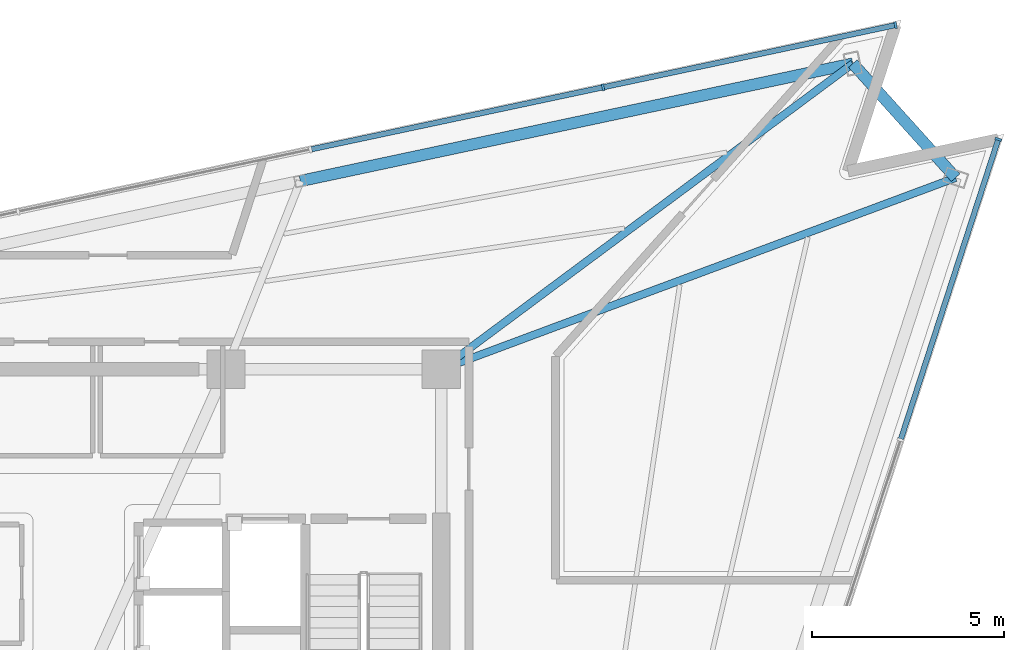
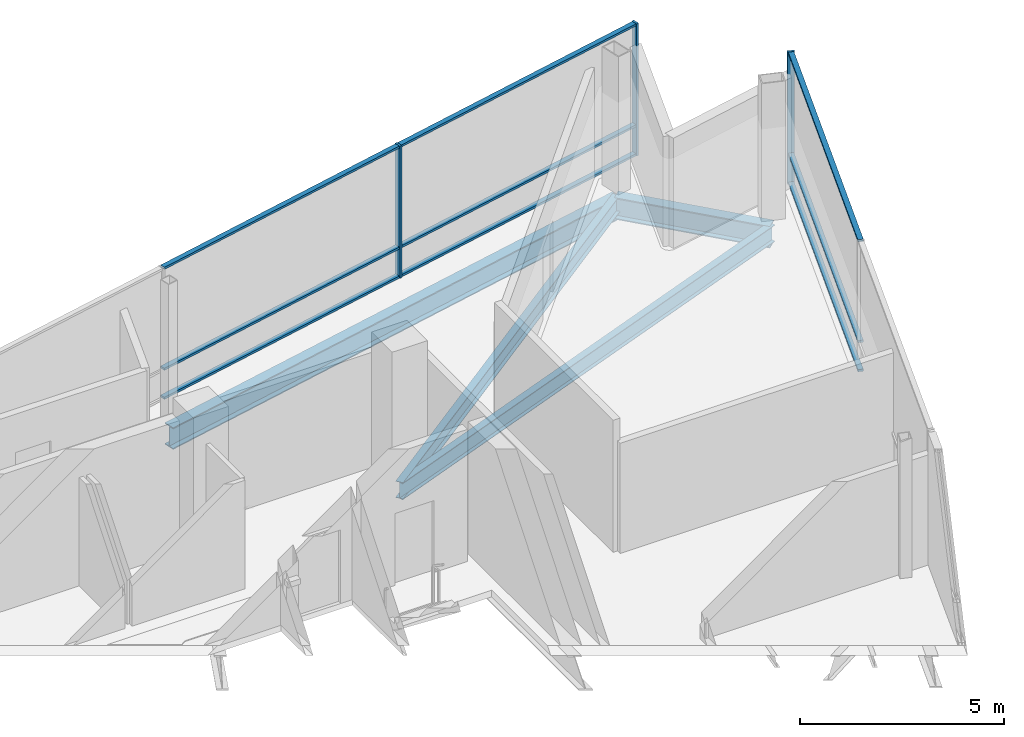
# One storey, part 9 of 16: 12 members, 4 beams, 2 elements without a shape of their own.
"""IFC4 building model written with IfcOpenShell, lengths in metres."""

import ifcopenshell
import ifcopenshell.guid

model = None  # the IFC model being written
_history = None  # IfcOwnerHistory: only IFC2X3 demands one
_inside = {}  # id of a spatial element -> (the spatial element, [elements in it])
_under = {}  # id of a project, library or spatial element -> (it, [spatial elements below it])
_declared = {}  # id of a project -> (the project, [libraries it declares])
_typed = {}  # id of a type object -> (the type object, [elements of that type])
_made_of = {}  # id of a material, layer set ... -> (it, [elements and type objects made of it])


def new_model(schema):
    """Start an empty IFC model of exactly this schema.

    Asked for "IFC4X3", IfcOpenShell would pick the latest addendum, in which some entities
    have other attributes; the version numbers below select the first issue.
    IFC2X3 requires an IfcOwnerHistory on every rooted entity: one is made here for all.
    """
    global model, _history
    if schema == "IFC4X3":
        model = ifcopenshell.file(schema_version=(4, 3, 0, 0))
    else:
        model = ifcopenshell.file(schema=schema)
    _inside.clear()
    _under.clear()
    _declared.clear()
    _typed.clear()
    _made_of.clear()
    _history = None
    if model.schema == "IFC2X3":
        org = make("IfcOrganization", Name="unknown")
        user = make(
            "IfcPersonAndOrganization",
            ThePerson=make("IfcPerson", FamilyName="unknown"),
            TheOrganization=org,
        )
        app = make(
            "IfcApplication",
            ApplicationDeveloper=org,
            Version="unknown",
            ApplicationFullName="unknown",
            ApplicationIdentifier="unknown",
        )
        _history = make(
            "IfcOwnerHistory",
            OwningUser=user,
            OwningApplication=app,
            ChangeAction="ADDED",
            CreationDate=0,
        )
    return model


def make(cls, **values):
    """One entity of the class cls with the attributes given. An attribute that is None is left unset."""
    return model.create_entity(
        cls, **{name: value for name, value in values.items() if value is not None}
    )


def rooted(cls, **values):
    """An entity with a GlobalId (a new one), such as an element, a storey or a relation."""
    return make(cls, GlobalId=ifcopenshell.guid.new(), OwnerHistory=_history, **values)


def si_unit(unit_type, name, prefix=None):
    """IfcSIUnit, for example si_unit("LENGTHUNIT", "METRE", prefix="MILLI")."""
    return make("IfcSIUnit", UnitType=unit_type, Prefix=prefix, Name=name)


def assignment(units):
    """IfcUnitAssignment: the units of a project."""
    return None if units is None else make("IfcUnitAssignment", Units=units)


def point(xyz):
    """IfcCartesianPoint."""
    return None if xyz is None else make("IfcCartesianPoint", Coordinates=xyz)


def direction(xyz):
    """IfcDirection."""
    return None if xyz is None else make("IfcDirection", DirectionRatios=xyz)


def frame(location, z_axis=None, x_axis=None):
    """IfcAxis2Placement3D, a coordinate frame: its origin and axes. An axis left out is left unset."""
    return make(
        "IfcAxis2Placement3D",
        Location=point(location),
        Axis=direction(z_axis),
        RefDirection=direction(x_axis),
    )


def frame_2d(location, x_axis=None):
    """IfcAxis2Placement2D, a coordinate frame in the plane: its origin and x axis."""
    return make(
        "IfcAxis2Placement2D", Location=point(location), RefDirection=direction(x_axis)
    )


def origin():
    """The frame at (0, 0, 0) with its axes left unset."""
    return frame((0.0, 0.0, 0.0))


def origin_2d():
    """The frame at (0, 0) in the plane with its x axis left unset."""
    return frame_2d((0.0, 0.0))


def place(relative_to, where):
    """IfcLocalPlacement: puts the frame where relative to a parent placement (None: the world)."""
    return make(
        "IfcLocalPlacement", PlacementRelTo=relative_to, RelativePlacement=where
    )


def context(
    kind, dimensions, precision=None, world=None, true_north=None, identifier=None
):
    """IfcGeometricRepresentationContext, for example the 3D "Model" context."""
    return make(
        "IfcGeometricRepresentationContext",
        ContextIdentifier=identifier,
        ContextType=kind,
        CoordinateSpaceDimension=dimensions,
        Precision=precision,
        WorldCoordinateSystem=world,
        TrueNorth=true_north,
    )


def subcontext(parent, identifier, kind, view, scale=None):
    """IfcGeometricRepresentationSubContext, for example "Body" below "Model"."""
    return make(
        "IfcGeometricRepresentationSubContext",
        ContextIdentifier=identifier,
        ContextType=kind,
        ParentContext=parent,
        TargetScale=scale,
        TargetView=view,
    )


def project(units=None, contexts=None):
    """IfcProject with its units and contexts."""
    return rooted(
        "IfcProject",
        Name="project",
        RepresentationContexts=contexts,
        UnitsInContext=assignment(units),
    )


def spatial(cls, under=None, at=None, **own):
    """A site, building, storey or space (cls), placed at a placement, below another one or the project."""
    s = rooted(cls, ObjectPlacement=at, **own)
    if under is not None:
        _under.setdefault(under.id(), (under, []))[1].append(s)
    return s


def profile(cls, at=None, kind="AREA", **sizes):
    """A parametric profile (cls). Its sizes go by their IFC names, for example OverallWidth=200.0."""
    return make(cls, ProfileType=kind, Position=at, **sizes)


def rectangle(**sizes):
    """IfcRectangleProfileDef."""
    return profile("IfcRectangleProfileDef", **sizes)


def i_section(**sizes):
    """IfcIShapeProfileDef."""
    return profile("IfcIShapeProfileDef", **sizes)


def extrude(swept, where, along, depth):
    """IfcExtrudedAreaSolid: the profile swept, set in the frame where, extruded along a direction by depth."""
    return make(
        "IfcExtrudedAreaSolid",
        SweptArea=swept,
        Position=where,
        ExtrudedDirection=direction(along),
        Depth=depth,
    )


def shape(context_of_items, identifier, shape_type, items):
    """IfcShapeRepresentation: the items that make up one representation, for example the "Body"."""
    return make(
        "IfcShapeRepresentation",
        ContextOfItems=context_of_items,
        RepresentationIdentifier=identifier,
        RepresentationType=shape_type,
        Items=items,
    )


def material(Name=None, Category=None):
    """IfcMaterial."""
    return make("IfcMaterial", Name=Name, Category=Category)


def layer(
    of_material, thickness, ventilated=None, Name=None, Category=None, Priority=None
):
    """IfcMaterialLayer: one layer of a wall or slab, of a material (None: an air gap)."""
    return make(
        "IfcMaterialLayer",
        Material=of_material,
        LayerThickness=thickness,
        IsVentilated=ventilated,
        Name=Name,
        Category=Category,
        Priority=Priority,
    )


def layer_set(layers, Name=None):
    """IfcMaterialLayerSet."""
    return make("IfcMaterialLayerSet", MaterialLayers=layers, LayerSetName=Name)


def material_profile(
    of_material, cross_section, Name=None, Category=None, Priority=None
):
    """IfcMaterialProfile: a cross section and its material."""
    return make(
        "IfcMaterialProfile",
        Name=Name,
        Material=of_material,
        Profile=cross_section,
        Priority=Priority,
        Category=Category,
    )


def profile_set(profiles, Name=None, composite=None):
    """IfcMaterialProfileSet."""
    return make(
        "IfcMaterialProfileSet",
        Name=Name,
        MaterialProfiles=profiles,
        CompositeProfile=composite,
    )


def made_of(thing, what):
    """Note that an element or type object is made of a material, layer set ...; save() writes the relation."""
    if what is not None:
        _made_of.setdefault(what.id(), (what, []))[1].append(thing)
    return thing


def type_object(cls, material=None, **own):
    """A type object (cls), such as IfcWallType, which elements share."""
    return made_of(rooted(cls, **own), material)


def element(
    cls,
    number,
    at=None,
    inside=None,
    cuts=None,
    type_object=None,
    material=None,
    context=None,
    identifier="Body",
    shape_type=None,
    held_by="IfcProductDefinitionShape",
    body=None,
    shapes=None,
    **own,
):
    """One element of the class cls, such as IfcWall. Its Tag is "e" and its number.

    at: its placement. inside: the storey or other place that contains it. cuts: it is an
    opening in that element (IfcRelVoidsElement). A single representation is given by context,
    identifier, shape_type and body (its items); several are given by shapes. held_by: the class
    of the entity that holds the representations. save() writes the other relations.
    """
    e = rooted(cls, Tag="e%d" % number, ObjectPlacement=at, **own)
    if body is not None:
        shapes = [shape(context, identifier, shape_type, body)]
    if shapes is not None:
        e.Representation = make(held_by, Representations=shapes)
    if inside is not None:
        _inside.setdefault(inside.id(), (inside, []))[1].append(e)
    if cuts is not None:
        rooted(
            "IfcRelVoidsElement", RelatingBuildingElement=cuts, RelatedOpeningElement=e
        )
    if type_object is not None:
        _typed.setdefault(type_object.id(), (type_object, []))[1].append(e)
    return made_of(e, material)


def aggregate(whole, parts):
    """IfcRelAggregates: a whole, such as a stair, and the parts it consists of."""
    return rooted("IfcRelAggregates", RelatingObject=whole, RelatedObjects=parts)


def save(model, path):
    """Write the relations noted so far, then the file.

    IfcRelAggregates (storeys below a building ...), IfcRelContainedInSpatialStructure (elements
    in a storey), IfcRelDefinesByType, IfcRelAssociatesMaterial and IfcRelDeclares: one each for
    every whole, place, type object, material and project.
    """
    for whole, parts in _under.values():
        aggregate(whole, parts)
    for where, things in _inside.values():
        rooted(
            "IfcRelContainedInSpatialStructure",
            RelatedElements=things,
            RelatingStructure=where,
        )
    for kind, things in _typed.values():
        rooted("IfcRelDefinesByType", RelatedObjects=things, RelatingType=kind)
    for what, things in _made_of.values():
        rooted("IfcRelAssociatesMaterial", RelatedObjects=things, RelatingMaterial=what)
    for by, libraries in _declared.values():
        rooted("IfcRelDeclares", RelatingContext=by, RelatedDefinitions=libraries)
    model.write(path)


model = new_model("IFC4")

# Units and contexts
model_context = context("Model", 3, precision=1e-05, world=origin(), true_north=direction((0.0, 1.0)))
body_context = subcontext(model_context, "Body", "Model", "MODEL_VIEW")
ifc_project = project(units=[si_unit("LENGTHUNIT", "METRE"), si_unit("AREAUNIT", "SQUARE_METRE"), si_unit("VOLUMEUNIT", "CUBIC_METRE"), si_unit("PLANEANGLEUNIT", "RADIAN"), si_unit("MASSUNIT", "GRAM", prefix="KILO")], contexts=[model_context])

# Site, building, storey
site_placement = place(None, origin())
site = spatial("IfcSite", under=ifc_project, at=site_placement, CompositionType="ELEMENT")
building_placement = place(site_placement, origin())
building = spatial("IfcBuilding", under=site, at=building_placement, Name="Tharavind Bronze Gate", CompositionType="ELEMENT")
storey_placement = place(building_placement, frame((0.0, 0.0, 302.14990234375)))
storey = spatial("IfcBuildingStorey", under=building, at=storey_placement, Name="L78", CompositionType="ELEMENT", Elevation=302.14990234375)

# Curtain wall, member
ifc_material_1 = material(Name="Anodised Bronze Aluminium", Category="aluminium")
ifc_layer = layer(ifc_material_1, 0.219970703125)
ifc_layer_set = layer_set([ifc_layer], Name="Anodised Bronze Aluminium")
curtain_wall_type = type_object("IfcCurtainWallType", Name="UNITISED CURTAIN WALL CROWN", PredefinedType="USERDEFINED", material=ifc_layer_set)
curtain_wall_1_placement = place(storey_placement, origin())
curtain_wall_1 = element("IfcCurtainWall", 1, at=curtain_wall_1_placement, inside=storey, type_object=curtain_wall_type, Name="L78 unitised curtain wall crown CW-L78-S2", ObjectType="UNITISED CURTAIN WALL", PredefinedType="USERDEFINED")
member_type_1 = type_object("IfcMemberType", Name="CURTAIN WALL BRONZE MULLION 65X180", PredefinedType="MULLION", material=ifc_material_1)
member_1_placement = place(storey_placement, frame((23.433837890625, 13.603271484375, 0.0), z_axis=(0.0, 0.0, 1.0), x_axis=(0.309016994375, 0.951056516295, 0.0)))
member_1 = element("IfcMember", 2, at=member_1_placement, type_object=member_type_1, Name="CW-L78-S2 mullion 7", PredefinedType="MULLION", context=body_context, shape_type="SweptSolid", body=[
    extrude(rectangle(XDim=0.06494140625, YDim=0.179931640625, at=origin_2d()), origin(), (0.0, 0.0, 1.0), 3.949951171875),
])

# Curtain wall, members
curtain_wall_2_placement = place(storey_placement, origin())
curtain_wall_2 = element("IfcCurtainWall", 3, at=curtain_wall_2_placement, inside=storey, type_object=curtain_wall_type, Name="L78 unitised curtain wall crown CW-L78-S3", ObjectType="UNITISED CURTAIN WALL", PredefinedType="USERDEFINED")
member_2_placement = place(storey_placement, frame((20.751953125, 16.581787109375, 0.0), z_axis=(0.0, 0.0, 1.0), x_axis=(-0.978147237858, -0.207913398007, 0.0)))
member_2 = element("IfcMember", 4, at=member_2_placement, type_object=member_type_1, Name="CW-L78-S3 mullion 1", PredefinedType="MULLION", context=body_context, shape_type="SweptSolid", body=[
    extrude(rectangle(XDim=0.06494140625, YDim=0.179931640625, at=origin_2d()), origin(), (0.0, 0.0, 1.0), 3.949951171875),
])
member_3_placement = place(storey_placement, frame((13.119873046875, 14.959716796875, 0.0), z_axis=(0.0, 0.0, 1.0), x_axis=(-0.978147237858, -0.207913398007, 0.0)))
member_3 = element("IfcMember", 5, at=member_3_placement, type_object=member_type_1, Name="CW-L78-S3 mullion 2", PredefinedType="MULLION", context=body_context, shape_type="SweptSolid", body=[
    extrude(rectangle(XDim=0.06494140625, YDim=0.179931640625, at=origin_2d()), origin(), (0.0, 0.0, 1.0), 3.949951171875),
])

# Member
member_type_2 = type_object("IfcMemberType", Name="CURTAIN WALL BRONZE TRANSOM 65X140", PredefinedType="USERDEFINED", material=ifc_material_1)
member_4_placement = place(storey_placement, frame((22.159423828125, 9.68115234375, 0.000244140625), z_axis=(0.0, 0.0, 1.0), x_axis=(0.309016994375, 0.951056516295, 0.0)))
member_4 = element("IfcMember", 6, at=member_4_placement, type_object=member_type_2, Name="CW-L78-S2 transom TB6", ObjectType="TRANSOM", PredefinedType="USERDEFINED", context=body_context, shape_type="SweptSolid", body=[
    extrude(rectangle(XDim=8.195068359375, YDim=0.139892578125, at=origin_2d()), origin(), (0.0, 0.0, 1.0), 0.06494140625),
])

member_5_placement = place(storey_placement, frame((22.159423828125, 9.68115234375, 0.86767578125), z_axis=(0.0, 0.0, 1.0), x_axis=(0.309016994375, 0.951056516295, 0.0)))
member_5 = element("IfcMember", 7, at=member_5_placement, type_object=member_type_2, Name="CW-L78-S2 transom TS6", ObjectType="TRANSOM", PredefinedType="USERDEFINED", context=body_context, shape_type="SweptSolid", body=[
    extrude(rectangle(XDim=8.195068359375, YDim=0.139892578125, at=origin_2d()), origin(), (0.0, 0.0, 1.0), 0.06494140625),
])

member_6_placement = place(storey_placement, frame((22.159423828125, 9.68115234375, 3.885009765625), z_axis=(0.0, 0.0, 1.0), x_axis=(0.309016994375, 0.951056516295, 0.0)))
member_6 = element("IfcMember", 8, at=member_6_placement, type_object=member_type_2, Name="CW-L78-S2 transom TT6", ObjectType="TRANSOM", PredefinedType="USERDEFINED", context=body_context, shape_type="SweptSolid", body=[
    extrude(rectangle(XDim=8.195068359375, YDim=0.139892578125, at=origin_2d()), origin(), (0.0, 0.0, 1.0), 0.06494140625),
])

aggregate(curtain_wall_1, [member_1, member_4, member_5, member_6])

member_7_placement = place(storey_placement, frame((16.935791015625, 15.770751953125, 0.000244140625), z_axis=(0.0, 0.0, 1.0), x_axis=(-0.978147237858, -0.207913398007, 0.0)))
member_7 = element("IfcMember", 9, at=member_7_placement, type_object=member_type_2, Name="CW-L78-S3 transom TB1", ObjectType="TRANSOM", PredefinedType="USERDEFINED", context=body_context, shape_type="SweptSolid", body=[
    extrude(rectangle(XDim=7.749755859375, YDim=0.139892578125, at=origin_2d()), origin(), (0.0, 0.0, 1.0), 0.06494140625),
])

member_8_placement = place(storey_placement, frame((16.935791015625, 15.770751953125, 0.86767578125), z_axis=(0.0, 0.0, 1.0), x_axis=(-0.978147237858, -0.207913398007, 0.0)))
member_8 = element("IfcMember", 10, at=member_8_placement, type_object=member_type_2, Name="CW-L78-S3 transom TS1", ObjectType="TRANSOM", PredefinedType="USERDEFINED", context=body_context, shape_type="SweptSolid", body=[
    extrude(rectangle(XDim=7.749755859375, YDim=0.139892578125, at=origin_2d()), origin(), (0.0, 0.0, 1.0), 0.06494140625),
])

member_9_placement = place(storey_placement, frame((16.935791015625, 15.770751953125, 3.885009765625), z_axis=(0.0, 0.0, 1.0), x_axis=(-0.978147237858, -0.207913398007, 0.0)))
member_9 = element("IfcMember", 11, at=member_9_placement, type_object=member_type_2, Name="CW-L78-S3 transom TT1", ObjectType="TRANSOM", PredefinedType="USERDEFINED", context=body_context, shape_type="SweptSolid", body=[
    extrude(rectangle(XDim=7.749755859375, YDim=0.139892578125, at=origin_2d()), origin(), (0.0, 0.0, 1.0), 0.06494140625),
])

member_10_placement = place(storey_placement, frame((9.3037109375, 14.1484375, 0.000244140625), z_axis=(0.0, 0.0, 1.0), x_axis=(-0.978147237858, -0.207913398007, 0.0)))
member_10 = element("IfcMember", 12, at=member_10_placement, type_object=member_type_2, Name="CW-L78-S3 transom TB2", ObjectType="TRANSOM", PredefinedType="USERDEFINED", context=body_context, shape_type="SweptSolid", body=[
    extrude(rectangle(XDim=7.749755859375, YDim=0.139892578125, at=origin_2d()), origin(), (0.0, 0.0, 1.0), 0.06494140625),
])

member_11_placement = place(storey_placement, frame((9.3037109375, 14.1484375, 0.86767578125), z_axis=(0.0, 0.0, 1.0), x_axis=(-0.978147237858, -0.207913398007, 0.0)))
member_11 = element("IfcMember", 13, at=member_11_placement, type_object=member_type_2, Name="CW-L78-S3 transom TS2", ObjectType="TRANSOM", PredefinedType="USERDEFINED", context=body_context, shape_type="SweptSolid", body=[
    extrude(rectangle(XDim=7.749755859375, YDim=0.139892578125, at=origin_2d()), origin(), (0.0, 0.0, 1.0), 0.06494140625),
])

member_12_placement = place(storey_placement, frame((9.3037109375, 14.1484375, 3.885009765625), z_axis=(0.0, 0.0, 1.0), x_axis=(-0.978147237858, -0.207913398007, 0.0)))
member_12 = element("IfcMember", 14, at=member_12_placement, type_object=member_type_2, Name="CW-L78-S3 transom TT2", ObjectType="TRANSOM", PredefinedType="USERDEFINED", context=body_context, shape_type="SweptSolid", body=[
    extrude(rectangle(XDim=7.749755859375, YDim=0.139892578125, at=origin_2d()), origin(), (0.0, 0.0, 1.0), 0.06494140625),
])

aggregate(curtain_wall_2, [member_2, member_3, member_7, member_8, member_9, member_10, member_11, member_12])

# Beams
ifc_material_2 = material(Name="Steel S355", Category="steel")
ifc_material_profile_1 = material_profile(ifc_material_2, i_section(OverallWidth=0.300048828125, OverallDepth=0.64990234375, WebThickness=0.01611328125, FlangeThickness=0.031005859375, at=origin_2d()), Name="HE650B")
ifc_profile_set_1 = profile_set([ifc_material_profile_1], Name="Steel S355")
beam_type_1 = type_object("IfcBeamType", Name="PRIMARY GIRDER HE650B", PredefinedType="USERDEFINED", material=ifc_profile_set_1)
beam_1_placement = place(storey_placement, frame((22.319091796875, 12.599609375, -0.52490234375), z_axis=(-0.669132983361, 0.743142685208, 0.0), x_axis=(-0.743142685208, -0.669132983361, 0.0)))
element("IfcBeam", 15, at=beam_1_placement, inside=storey, type_object=beam_type_1, Name="L78 primary girder he650b BM-L78-PRG08", ObjectType="GIRDER", PredefinedType="USERDEFINED", context=body_context, shape_type="SweptSolid", body=[
    extrude(i_section(OverallWidth=0.300048828125, OverallDepth=0.64990234375, WebThickness=0.01611328125, FlangeThickness=0.031005859375, at=origin_2d()), origin(), (0.0, 0.0, 1.0), 4.008056640625),
])
beam_2_placement = place(storey_placement, frame((19.63720703125, 15.578125, -0.52490234375), z_axis=(-0.97814794647, -0.207910064249, 0.0), x_axis=(0.207910064249, -0.97814794647, 0.0)))
element("IfcBeam", 16, at=beam_2_placement, inside=storey, type_object=beam_type_1, Name="L78 primary girder he650b BM-L78-PRG09", ObjectType="GIRDER", PredefinedType="USERDEFINED", context=body_context, shape_type="SweptSolid", body=[
    extrude(i_section(OverallWidth=0.300048828125, OverallDepth=0.64990234375, WebThickness=0.01611328125, FlangeThickness=0.031005859375, at=origin_2d()), origin(), (0.0, 0.0, 1.0), 14.7392578125),
])
ifc_material_profile_2 = material_profile(ifc_material_2, i_section(OverallWidth=0.199951171875, OverallDepth=0.5, WebThickness=0.01025390625, FlangeThickness=0.01611328125, at=origin_2d()), Name="IPE500")
ifc_profile_set_2 = profile_set([ifc_material_profile_2], Name="Steel S355")
beam_type_2 = type_object("IfcBeamType", Name="PRIMARY GIRDER IPE500", PredefinedType="USERDEFINED", material=ifc_profile_set_2)
beam_3_placement = place(storey_placement, frame((22.319091796875, 12.599609375, -0.449951171875), z_axis=(-0.937077412275, -0.349121645567, 0.0), x_axis=(0.349121645567, -0.937077412275, 0.0)))
element("IfcBeam", 17, at=beam_3_placement, inside=storey, type_object=beam_type_2, Name="L78 primary girder ipe500 BM-L78-RAD08", ObjectType="GIRDER", PredefinedType="USERDEFINED", context=body_context, shape_type="SweptSolid", body=[
    extrude(i_section(OverallWidth=0.199951171875, OverallDepth=0.5, WebThickness=0.01025390625, FlangeThickness=0.01611328125, at=origin_2d()), origin(), (0.0, 0.0, 1.0), 14.3203125),
])
beam_4_placement = place(storey_placement, frame((19.63720703125, 15.578125, -0.449951171875), z_axis=(-0.802681438581, -0.596408004774, 0.0), x_axis=(0.596408004774, -0.802681438581, 0.0)))
element("IfcBeam", 18, at=beam_4_placement, inside=storey, type_object=beam_type_2, Name="L78 primary girder ipe500 BM-L78-RAD09", ObjectType="GIRDER", PredefinedType="USERDEFINED", context=body_context, shape_type="SweptSolid", body=[
    extrude(i_section(OverallWidth=0.199951171875, OverallDepth=0.5, WebThickness=0.01025390625, FlangeThickness=0.01611328125, at=origin_2d()), origin(), (0.0, 0.0, 1.0), 13.376708984375),
])

save(model, "model.ifc")
